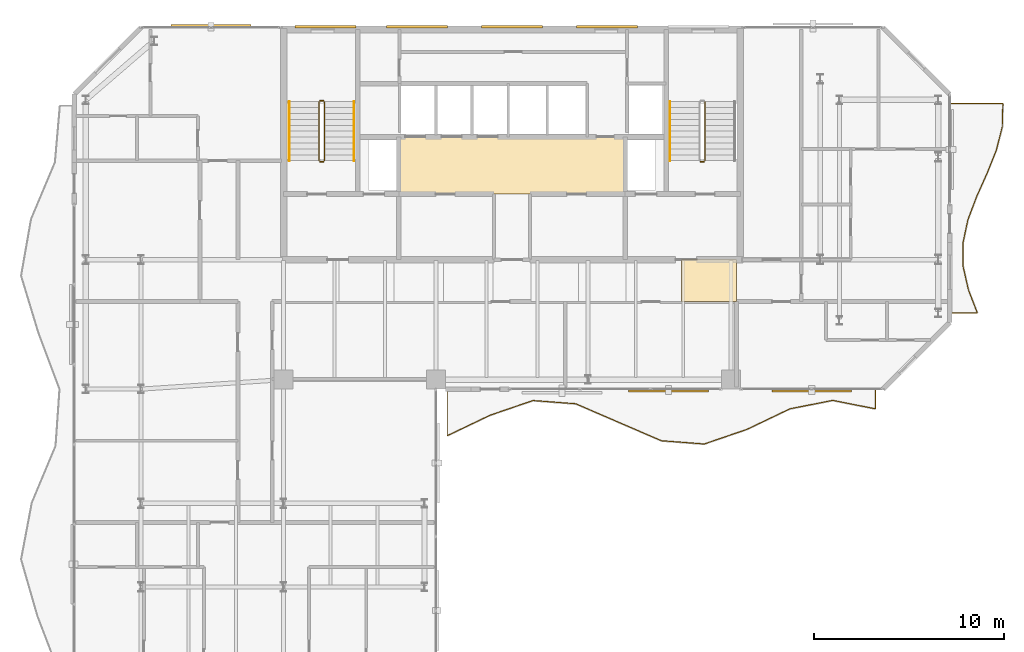
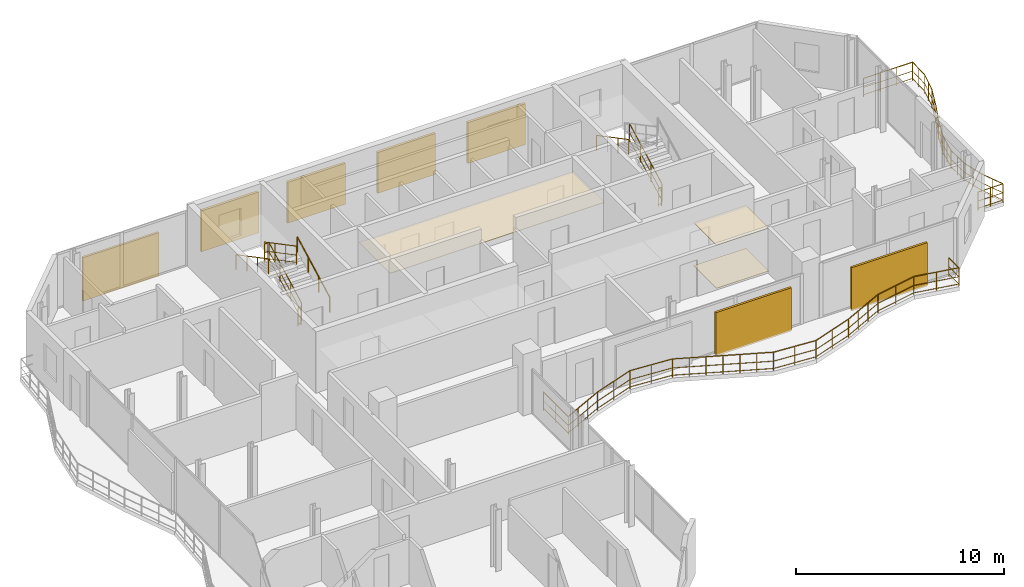
# One storey, part 22 of 23: 11 railings, 7 shading devices, 3 coverings.
"""IFC4 building model written with IfcOpenShell, lengths in metres."""

import ifcopenshell
import ifcopenshell.guid

model = None  # the IFC model being written
_history = None  # IfcOwnerHistory: only IFC2X3 demands one
_inside = {}  # id of a spatial element -> (the spatial element, [elements in it])
_under = {}  # id of a project, library or spatial element -> (it, [spatial elements below it])
_declared = {}  # id of a project -> (the project, [libraries it declares])
_typed = {}  # id of a type object -> (the type object, [elements of that type])
_made_of = {}  # id of a material, layer set ... -> (it, [elements and type objects made of it])


def new_model(schema):
    """Start an empty IFC model of exactly this schema.

    Asked for "IFC4X3", IfcOpenShell would pick the latest addendum, in which some entities
    have other attributes; the version numbers below select the first issue.
    IFC2X3 requires an IfcOwnerHistory on every rooted entity: one is made here for all.
    """
    global model, _history
    if schema == "IFC4X3":
        model = ifcopenshell.file(schema_version=(4, 3, 0, 0))
    else:
        model = ifcopenshell.file(schema=schema)
    _inside.clear()
    _under.clear()
    _declared.clear()
    _typed.clear()
    _made_of.clear()
    _history = None
    if model.schema == "IFC2X3":
        org = make("IfcOrganization", Name="unknown")
        user = make(
            "IfcPersonAndOrganization",
            ThePerson=make("IfcPerson", FamilyName="unknown"),
            TheOrganization=org,
        )
        app = make(
            "IfcApplication",
            ApplicationDeveloper=org,
            Version="unknown",
            ApplicationFullName="unknown",
            ApplicationIdentifier="unknown",
        )
        _history = make(
            "IfcOwnerHistory",
            OwningUser=user,
            OwningApplication=app,
            ChangeAction="ADDED",
            CreationDate=0,
        )
    return model


def make(cls, **values):
    """One entity of the class cls with the attributes given. An attribute that is None is left unset."""
    return model.create_entity(
        cls, **{name: value for name, value in values.items() if value is not None}
    )


def rooted(cls, **values):
    """An entity with a GlobalId (a new one), such as an element, a storey or a relation."""
    return make(cls, GlobalId=ifcopenshell.guid.new(), OwnerHistory=_history, **values)


def si_unit(unit_type, name, prefix=None):
    """IfcSIUnit, for example si_unit("LENGTHUNIT", "METRE", prefix="MILLI")."""
    return make("IfcSIUnit", UnitType=unit_type, Prefix=prefix, Name=name)


def assignment(units):
    """IfcUnitAssignment: the units of a project."""
    return None if units is None else make("IfcUnitAssignment", Units=units)


def point(xyz):
    """IfcCartesianPoint."""
    return None if xyz is None else make("IfcCartesianPoint", Coordinates=xyz)


def direction(xyz):
    """IfcDirection."""
    return None if xyz is None else make("IfcDirection", DirectionRatios=xyz)


def frame(location, z_axis=None, x_axis=None):
    """IfcAxis2Placement3D, a coordinate frame: its origin and axes. An axis left out is left unset."""
    return make(
        "IfcAxis2Placement3D",
        Location=point(location),
        Axis=direction(z_axis),
        RefDirection=direction(x_axis),
    )


def frame_2d(location, x_axis=None):
    """IfcAxis2Placement2D, a coordinate frame in the plane: its origin and x axis."""
    return make(
        "IfcAxis2Placement2D", Location=point(location), RefDirection=direction(x_axis)
    )


def origin():
    """The frame at (0, 0, 0) with its axes left unset."""
    return frame((0.0, 0.0, 0.0))


def origin_2d():
    """The frame at (0, 0) in the plane with its x axis left unset."""
    return frame_2d((0.0, 0.0))


def place(relative_to, where):
    """IfcLocalPlacement: puts the frame where relative to a parent placement (None: the world)."""
    return make(
        "IfcLocalPlacement", PlacementRelTo=relative_to, RelativePlacement=where
    )


def context(
    kind, dimensions, precision=None, world=None, true_north=None, identifier=None
):
    """IfcGeometricRepresentationContext, for example the 3D "Model" context."""
    return make(
        "IfcGeometricRepresentationContext",
        ContextIdentifier=identifier,
        ContextType=kind,
        CoordinateSpaceDimension=dimensions,
        Precision=precision,
        WorldCoordinateSystem=world,
        TrueNorth=true_north,
    )


def subcontext(parent, identifier, kind, view, scale=None):
    """IfcGeometricRepresentationSubContext, for example "Body" below "Model"."""
    return make(
        "IfcGeometricRepresentationSubContext",
        ContextIdentifier=identifier,
        ContextType=kind,
        ParentContext=parent,
        TargetScale=scale,
        TargetView=view,
    )


def project(units=None, contexts=None):
    """IfcProject with its units and contexts."""
    return rooted(
        "IfcProject",
        Name="project",
        RepresentationContexts=contexts,
        UnitsInContext=assignment(units),
    )


def spatial(cls, under=None, at=None, **own):
    """A site, building, storey or space (cls), placed at a placement, below another one or the project."""
    s = rooted(cls, ObjectPlacement=at, **own)
    if under is not None:
        _under.setdefault(under.id(), (under, []))[1].append(s)
    return s


def polyline(points):
    """IfcPolyline through the points."""
    return make("IfcPolyline", Points=[point(p) for p in points])


def profile(cls, at=None, kind="AREA", **sizes):
    """A parametric profile (cls). Its sizes go by their IFC names, for example OverallWidth=200.0."""
    return make(cls, ProfileType=kind, Position=at, **sizes)


def rectangle(**sizes):
    """IfcRectangleProfileDef."""
    return profile("IfcRectangleProfileDef", **sizes)


def circle(**sizes):
    """IfcCircleProfileDef."""
    return profile("IfcCircleProfileDef", **sizes)


def outline(outer, holes=None, kind="AREA"):
    """IfcArbitraryClosedProfileDef: a profile drawn as a closed curve; with holes, ...WithVoids."""
    if holes is None:
        return make("IfcArbitraryClosedProfileDef", ProfileType=kind, OuterCurve=outer)
    return make(
        "IfcArbitraryProfileDefWithVoids",
        ProfileType=kind,
        OuterCurve=outer,
        InnerCurves=holes,
    )


def extrude(swept, where, along, depth):
    """IfcExtrudedAreaSolid: the profile swept, set in the frame where, extruded along a direction by depth."""
    return make(
        "IfcExtrudedAreaSolid",
        SweptArea=swept,
        Position=where,
        ExtrudedDirection=direction(along),
        Depth=depth,
    )


def shape(context_of_items, identifier, shape_type, items):
    """IfcShapeRepresentation: the items that make up one representation, for example the "Body"."""
    return make(
        "IfcShapeRepresentation",
        ContextOfItems=context_of_items,
        RepresentationIdentifier=identifier,
        RepresentationType=shape_type,
        Items=items,
    )


def material(Name=None, Category=None):
    """IfcMaterial."""
    return make("IfcMaterial", Name=Name, Category=Category)


def layer(
    of_material, thickness, ventilated=None, Name=None, Category=None, Priority=None
):
    """IfcMaterialLayer: one layer of a wall or slab, of a material (None: an air gap)."""
    return make(
        "IfcMaterialLayer",
        Material=of_material,
        LayerThickness=thickness,
        IsVentilated=ventilated,
        Name=Name,
        Category=Category,
        Priority=Priority,
    )


def layer_set(layers, Name=None):
    """IfcMaterialLayerSet."""
    return make("IfcMaterialLayerSet", MaterialLayers=layers, LayerSetName=Name)


def made_of(thing, what):
    """Note that an element or type object is made of a material, layer set ...; save() writes the relation."""
    if what is not None:
        _made_of.setdefault(what.id(), (what, []))[1].append(thing)
    return thing


def type_object(cls, material=None, **own):
    """A type object (cls), such as IfcWallType, which elements share."""
    return made_of(rooted(cls, **own), material)


def element(
    cls,
    number,
    at=None,
    inside=None,
    cuts=None,
    type_object=None,
    material=None,
    context=None,
    identifier="Body",
    shape_type=None,
    held_by="IfcProductDefinitionShape",
    body=None,
    shapes=None,
    **own,
):
    """One element of the class cls, such as IfcWall. Its Tag is "e" and its number.

    at: its placement. inside: the storey or other place that contains it. cuts: it is an
    opening in that element (IfcRelVoidsElement). A single representation is given by context,
    identifier, shape_type and body (its items); several are given by shapes. held_by: the class
    of the entity that holds the representations. save() writes the other relations.
    """
    e = rooted(cls, Tag="e%d" % number, ObjectPlacement=at, **own)
    if body is not None:
        shapes = [shape(context, identifier, shape_type, body)]
    if shapes is not None:
        e.Representation = make(held_by, Representations=shapes)
    if inside is not None:
        _inside.setdefault(inside.id(), (inside, []))[1].append(e)
    if cuts is not None:
        rooted(
            "IfcRelVoidsElement", RelatingBuildingElement=cuts, RelatedOpeningElement=e
        )
    if type_object is not None:
        _typed.setdefault(type_object.id(), (type_object, []))[1].append(e)
    return made_of(e, material)


def aggregate(whole, parts):
    """IfcRelAggregates: a whole, such as a stair, and the parts it consists of."""
    return rooted("IfcRelAggregates", RelatingObject=whole, RelatedObjects=parts)


def save(model, path):
    """Write the relations noted so far, then the file.

    IfcRelAggregates (storeys below a building ...), IfcRelContainedInSpatialStructure (elements
    in a storey), IfcRelDefinesByType, IfcRelAssociatesMaterial and IfcRelDeclares: one each for
    every whole, place, type object, material and project.
    """
    for whole, parts in _under.values():
        aggregate(whole, parts)
    for where, things in _inside.values():
        rooted(
            "IfcRelContainedInSpatialStructure",
            RelatedElements=things,
            RelatingStructure=where,
        )
    for kind, things in _typed.values():
        rooted("IfcRelDefinesByType", RelatedObjects=things, RelatingType=kind)
    for what, things in _made_of.values():
        rooted("IfcRelAssociatesMaterial", RelatedObjects=things, RelatingMaterial=what)
    for by, libraries in _declared.values():
        rooted("IfcRelDeclares", RelatingContext=by, RelatedDefinitions=libraries)
    model.write(path)


model = new_model("IFC4")

# Units and contexts
model_context = context("Model", 3, precision=1e-05, world=origin(), true_north=direction((0.0, 1.0)))
body_context = subcontext(model_context, "Body", "Model", "MODEL_VIEW")
ifc_project = project(units=[si_unit("LENGTHUNIT", "METRE"), si_unit("AREAUNIT", "SQUARE_METRE"), si_unit("VOLUMEUNIT", "CUBIC_METRE"), si_unit("PLANEANGLEUNIT", "RADIAN"), si_unit("MASSUNIT", "GRAM", prefix="KILO")], contexts=[model_context])

# Site, building, storey
site_placement = place(None, origin())
site = spatial("IfcSite", under=ifc_project, at=site_placement, CompositionType="ELEMENT")
building_placement = place(site_placement, origin())
building = spatial("IfcBuilding", under=site, at=building_placement, Name="Catumbela Crestline Tower", CompositionType="ELEMENT")
storey_placement = place(building_placement, frame((0.0, 0.0, 204.6)))
storey = spatial("IfcBuildingStorey", under=building, at=storey_placement, Name="L53", CompositionType="ELEMENT", Elevation=204.6)

# Coverings
ifc_material_1 = material(Name="Mineral-fibre acoustic ceiling")
ifc_layer_1 = layer(ifc_material_1, 0.03, Name="Mineral-fibre acoustic ceiling")
ifc_layer_set_1 = layer_set([ifc_layer_1], Name="Mineral-fibre acoustic ceiling")
covering_type_1 = type_object("IfcCoveringType", Name="CC-AC", PredefinedType="CEILING", material=ifc_layer_set_1)
covering_1_placement = place(storey_placement, frame((0.0, 0.0, 2.65)))
element("IfcCovering", 1, at=covering_1_placement, inside=storey, type_object=covering_type_1, Name="L53 Lift Lobby Acoustic Ceiling", PredefinedType="CEILING", context=body_context, shape_type="SweptSolid", body=[
    extrude(outline(polyline([(22.05, 34.25), (33.95, 34.25), (33.95, 37.25), (22.05, 37.25), (22.05, 34.25)])), origin(), (0.0, 0.0, 1.0), 0.03),
])
covering_2_placement = place(storey_placement, frame((0.0, 0.0, 2.52)))
element("IfcCovering", 2, at=covering_2_placement, inside=storey, type_object=covering_type_1, Name="L53 Corridor Acoustic Ceiling Bay 8", PredefinedType="CEILING", context=body_context, shape_type="SweptSolid", body=[
    extrude(outline(polyline([(36.9, 28.6), (39.8, 28.6), (39.8, 30.8), (36.9, 30.8), (36.9, 28.6)])), origin(), (0.0, 0.0, 1.0), 0.03),
])
ifc_material_2 = material(Name="Angolan grey-ochre granite", Category="masonry")
ifc_layer_2 = layer(ifc_material_2, 0.025, Name="Angolan grey-ochre granite")
ifc_layer_set_2 = layer_set([ifc_layer_2], Name="Angolan grey-ochre granite")
covering_type_2 = type_object("IfcCoveringType", Name="CF-GR", PredefinedType="FLOORING", material=ifc_layer_set_2)
covering_3_placement = place(storey_placement, origin())
element("IfcCovering", 3, at=covering_3_placement, inside=storey, type_object=covering_type_2, Name="L53 Corridor Granite Flooring Bay 8", PredefinedType="FLOORING", context=body_context, shape_type="SweptSolid", body=[
    extrude(outline(polyline([(36.9, 28.6), (39.8, 28.6), (39.8, 30.8), (36.9, 30.8), (36.9, 28.6)])), origin(), (0.0, 0.0, 1.0), 0.025),
])

# Railings
ifc_material_3 = material(Name="Stainless steel EN 1.4401", Category="steel")
railing_type_1 = type_object("IfcRailingType", Name="RB-1100", PredefinedType="BALUSTRADE", material=ifc_material_3)
railing_1_placement = place(storey_placement, frame((24.6, 23.94, 0.0)))
element("IfcRailing", 4, at=railing_1_placement, inside=storey, type_object=railing_type_1, Name="L53 Private Wave Balcony Balustrade 1", PredefinedType="BALUSTRADE", context=body_context, shape_type="SweptSolid", body=[
    extrude(circle(Radius=0.024, at=origin_2d()), frame((0.0, 0.0, 1.076), z_axis=(0.0, -1.0, 0.0), x_axis=(1.0, 0.0, 0.0)), (0.0, 0.0, 1.0), 2.3853),
    extrude(circle(Radius=0.0156, at=origin_2d()), frame((0.0, 0.0, 0.55), z_axis=(0.0, -1.0, 0.0), x_axis=(1.0, 0.0, 0.0)), (0.0, 0.0, 1.0), 2.3853),
    extrude(circle(Radius=0.0156, at=origin_2d()), frame((0.0, 0.0, 0.12), z_axis=(0.0, -1.0, 0.0), x_axis=(1.0, 0.0, 0.0)), (0.0, 0.0, 1.0), 2.3853),
    extrude(circle(Radius=0.024, at=origin_2d()), frame((0.0, -2.3853, 1.076), z_axis=(0.902132186045, 0.431459753513, 0.0), x_axis=(-0.431459753513, 0.902132186045, 0.0)), (0.0, 0.0, 1.0), 2.4941),
    extrude(circle(Radius=0.0156, at=origin_2d()), frame((0.0, -2.3853, 0.55), z_axis=(0.902132186045, 0.431459753513, 0.0), x_axis=(-0.431459753513, 0.902132186045, 0.0)), (0.0, 0.0, 1.0), 2.4941),
    extrude(circle(Radius=0.0156, at=origin_2d()), frame((0.0, -2.3853, 0.12), z_axis=(0.902132186045, 0.431459753513, 0.0), x_axis=(-0.431459753513, 0.902132186045, 0.0)), (0.0, 0.0, 1.0), 2.4941),
    extrude(circle(Radius=0.024, at=origin_2d()), frame((2.25, -1.3092, 1.076), z_axis=(0.946065665735, 0.323974931311, 0.0), x_axis=(-0.323974931311, 0.946065665735, 0.0)), (0.0, 0.0, 1.0), 2.3783),
    extrude(circle(Radius=0.0156, at=origin_2d()), frame((2.25, -1.3092, 0.55), z_axis=(0.946065665735, 0.323974931311, 0.0), x_axis=(-0.323974931311, 0.946065665735, 0.0)), (0.0, 0.0, 1.0), 2.3783),
    extrude(circle(Radius=0.0156, at=origin_2d()), frame((2.25, -1.3092, 0.12), z_axis=(0.946065665735, 0.323974931311, 0.0), x_axis=(-0.323974931311, 0.946065665735, 0.0)), (0.0, 0.0, 1.0), 2.3783),
    extrude(circle(Radius=0.024, at=origin_2d()), frame((4.5, -0.5387, 1.076), z_axis=(0.997141170455, -0.075561142028, 0.0), x_axis=(0.075561142028, 0.997141170455, 0.0)), (0.0, 0.0, 1.0), 2.2565),
    extrude(circle(Radius=0.0156, at=origin_2d()), frame((4.5, -0.5387, 0.55), z_axis=(0.997141170455, -0.075561142028, 0.0), x_axis=(0.075561142028, 0.997141170455, 0.0)), (0.0, 0.0, 1.0), 2.2565),
    extrude(circle(Radius=0.0156, at=origin_2d()), frame((4.5, -0.5387, 0.12), z_axis=(0.997141170455, -0.075561142028, 0.0), x_axis=(0.075561142028, 0.997141170455, 0.0)), (0.0, 0.0, 1.0), 2.2565),
    extrude(circle(Radius=0.024, at=origin_2d()), frame((6.75, -0.7092, 1.076), z_axis=(0.918179780553, -0.396163969316, 0.0), x_axis=(0.396163969316, 0.918179780553, 0.0)), (0.0, 0.0, 1.0), 2.4505),
    extrude(circle(Radius=0.0156, at=origin_2d()), frame((6.75, -0.7092, 0.55), z_axis=(0.918179780553, -0.396163969316, 0.0), x_axis=(0.396163969316, 0.918179780553, 0.0)), (0.0, 0.0, 1.0), 2.4505),
    extrude(circle(Radius=0.0156, at=origin_2d()), frame((6.75, -0.7092, 0.12), z_axis=(0.918179780553, -0.396163969316, 0.0), x_axis=(0.396163969316, 0.918179780553, 0.0)), (0.0, 0.0, 1.0), 2.4505),
    extrude(circle(Radius=0.024, at=origin_2d()), frame((9.0, -1.68, 1.076), z_axis=(0.918179780553, -0.396163969316, 0.0), x_axis=(0.396163969316, 0.918179780553, 0.0)), (0.0, 0.0, 1.0), 2.4505),
    extrude(circle(Radius=0.0156, at=origin_2d()), frame((9.0, -1.68, 0.55), z_axis=(0.918179780553, -0.396163969316, 0.0), x_axis=(0.396163969316, 0.918179780553, 0.0)), (0.0, 0.0, 1.0), 2.4505),
    extrude(circle(Radius=0.0156, at=origin_2d()), frame((9.0, -1.68, 0.12), z_axis=(0.918179780553, -0.396163969316, 0.0), x_axis=(0.396163969316, 0.918179780553, 0.0)), (0.0, 0.0, 1.0), 2.4505),
    extrude(circle(Radius=0.024, at=origin_2d()), frame((11.25, -2.6508, 1.076), z_axis=(0.997141170455, -0.075561142028, 0.0), x_axis=(0.075561142028, 0.997141170455, 0.0)), (0.0, 0.0, 1.0), 2.2565),
    extrude(circle(Radius=0.0156, at=origin_2d()), frame((11.25, -2.6508, 0.55), z_axis=(0.997141170455, -0.075561142028, 0.0), x_axis=(0.075561142028, 0.997141170455, 0.0)), (0.0, 0.0, 1.0), 2.2565),
    extrude(circle(Radius=0.0156, at=origin_2d()), frame((11.25, -2.6508, 0.12), z_axis=(0.997141170455, -0.075561142028, 0.0), x_axis=(0.075561142028, 0.997141170455, 0.0)), (0.0, 0.0, 1.0), 2.2565),
    extrude(circle(Radius=0.024, at=origin_2d()), frame((13.5, -2.8213, 1.076), z_axis=(0.946065665735, 0.323974931311, 0.0), x_axis=(-0.323974931311, 0.946065665735, 0.0)), (0.0, 0.0, 1.0), 2.3783),
    extrude(circle(Radius=0.0156, at=origin_2d()), frame((13.5, -2.8213, 0.55), z_axis=(0.946065665735, 0.323974931311, 0.0), x_axis=(-0.323974931311, 0.946065665735, 0.0)), (0.0, 0.0, 1.0), 2.3783),
    extrude(circle(Radius=0.0156, at=origin_2d()), frame((13.5, -2.8213, 0.12), z_axis=(0.946065665735, 0.323974931311, 0.0), x_axis=(-0.323974931311, 0.946065665735, 0.0)), (0.0, 0.0, 1.0), 2.3783),
    extrude(circle(Radius=0.024, at=origin_2d()), frame((15.75, -2.0508, 1.076), z_axis=(0.902132186045, 0.431459753513, 0.0), x_axis=(-0.431459753513, 0.902132186045, 0.0)), (0.0, 0.0, 1.0), 2.4941),
    extrude(circle(Radius=0.0156, at=origin_2d()), frame((15.75, -2.0508, 0.55), z_axis=(0.902132186045, 0.431459753513, 0.0), x_axis=(-0.431459753513, 0.902132186045, 0.0)), (0.0, 0.0, 1.0), 2.4941),
    extrude(circle(Radius=0.0156, at=origin_2d()), frame((15.75, -2.0508, 0.12), z_axis=(0.902132186045, 0.431459753513, 0.0), x_axis=(-0.431459753513, 0.902132186045, 0.0)), (0.0, 0.0, 1.0), 2.4941),
    extrude(circle(Radius=0.024, at=origin_2d()), frame((18.0, -0.9747, 1.076), z_axis=(0.981022553047, 0.193893657484, 0.0), x_axis=(-0.193893657484, 0.981022553047, 0.0)), (0.0, 0.0, 1.0), 2.2935),
    extrude(circle(Radius=0.0156, at=origin_2d()), frame((18.0, -0.9747, 0.55), z_axis=(0.981022553047, 0.193893657484, 0.0), x_axis=(-0.193893657484, 0.981022553047, 0.0)), (0.0, 0.0, 1.0), 2.2935),
    extrude(circle(Radius=0.0156, at=origin_2d()), frame((18.0, -0.9747, 0.12), z_axis=(0.981022553047, 0.193893657484, 0.0), x_axis=(-0.193893657484, 0.981022553047, 0.0)), (0.0, 0.0, 1.0), 2.2935),
    extrude(circle(Radius=0.024, at=origin_2d()), frame((20.25, -0.53, 1.076), z_axis=(0.981022553047, -0.193893657484, 0.0), x_axis=(0.193893657484, 0.981022553047, 0.0)), (0.0, 0.0, 1.0), 2.2935),
    extrude(circle(Radius=0.0156, at=origin_2d()), frame((20.25, -0.53, 0.55), z_axis=(0.981022553047, -0.193893657484, 0.0), x_axis=(0.193893657484, 0.981022553047, 0.0)), (0.0, 0.0, 1.0), 2.2935),
    extrude(circle(Radius=0.0156, at=origin_2d()), frame((20.25, -0.53, 0.12), z_axis=(0.981022553047, -0.193893657484, 0.0), x_axis=(0.193893657484, 0.981022553047, 0.0)), (0.0, 0.0, 1.0), 2.2935),
    extrude(circle(Radius=0.024, at=origin_2d()), frame((22.5, -0.9747, 1.076), z_axis=(0.0, 1.0, 0.0), x_axis=(-1.0, 0.0, 0.0)), (0.0, 0.0, 1.0), 0.9747),
    extrude(circle(Radius=0.0156, at=origin_2d()), frame((22.5, -0.9747, 0.55), z_axis=(0.0, 1.0, 0.0), x_axis=(-1.0, 0.0, 0.0)), (0.0, 0.0, 1.0), 0.9747),
    extrude(circle(Radius=0.0156, at=origin_2d()), frame((22.5, -0.9747, 0.12), z_axis=(0.0, 1.0, 0.0), x_axis=(-1.0, 0.0, 0.0)), (0.0, 0.0, 1.0), 0.9747),
    extrude(circle(Radius=0.021, at=origin_2d()), origin(), (0.0, 0.0, 1.0), 1.052),
    extrude(circle(Radius=0.021, at=origin_2d()), frame((0.0, -1.1927, 0.0)), (0.0, 0.0, 1.0), 1.052),
    extrude(circle(Radius=0.021, at=origin_2d()), frame((0.0, -2.3853, 0.0)), (0.0, 0.0, 1.0), 1.052),
    extrude(circle(Radius=0.021, at=origin_2d()), frame((0.75, -2.0266, 0.0)), (0.0, 0.0, 1.0), 1.052),
    extrude(circle(Radius=0.021, at=origin_2d()), frame((1.5, -1.6679, 0.0)), (0.0, 0.0, 1.0), 1.052),
    extrude(circle(Radius=0.021, at=origin_2d()), frame((2.25, -1.3092, 0.0)), (0.0, 0.0, 1.0), 1.052),
    extrude(circle(Radius=0.021, at=origin_2d()), frame((3.375, -0.924, 0.0)), (0.0, 0.0, 1.0), 1.052),
    extrude(circle(Radius=0.021, at=origin_2d()), frame((4.5, -0.5387, 0.0)), (0.0, 0.0, 1.0), 1.052),
    extrude(circle(Radius=0.021, at=origin_2d()), frame((5.625, -0.624, 0.0)), (0.0, 0.0, 1.0), 1.052),
    extrude(circle(Radius=0.021, at=origin_2d()), frame((6.75, -0.7092, 0.0)), (0.0, 0.0, 1.0), 1.052),
    extrude(circle(Radius=0.021, at=origin_2d()), frame((7.5, -1.0328, 0.0)), (0.0, 0.0, 1.0), 1.052),
    extrude(circle(Radius=0.021, at=origin_2d()), frame((8.25, -1.3564, 0.0)), (0.0, 0.0, 1.0), 1.052),
    extrude(circle(Radius=0.021, at=origin_2d()), frame((9.0, -1.68, 0.0)), (0.0, 0.0, 1.0), 1.052),
    extrude(circle(Radius=0.021, at=origin_2d()), frame((9.75, -2.0036, 0.0)), (0.0, 0.0, 1.0), 1.052),
    extrude(circle(Radius=0.021, at=origin_2d()), frame((10.5, -2.3272, 0.0)), (0.0, 0.0, 1.0), 1.052),
    extrude(circle(Radius=0.021, at=origin_2d()), frame((11.25, -2.6508, 0.0)), (0.0, 0.0, 1.0), 1.052),
    extrude(circle(Radius=0.021, at=origin_2d()), frame((12.375, -2.7361, 0.0)), (0.0, 0.0, 1.0), 1.052),
    extrude(circle(Radius=0.021, at=origin_2d()), frame((13.5, -2.8213, 0.0)), (0.0, 0.0, 1.0), 1.052),
    extrude(circle(Radius=0.021, at=origin_2d()), frame((14.625, -2.4361, 0.0)), (0.0, 0.0, 1.0), 1.052),
    extrude(circle(Radius=0.021, at=origin_2d()), frame((15.75, -2.0508, 0.0)), (0.0, 0.0, 1.0), 1.052),
    extrude(circle(Radius=0.021, at=origin_2d()), frame((16.5, -1.6921, 0.0)), (0.0, 0.0, 1.0), 1.052),
    extrude(circle(Radius=0.021, at=origin_2d()), frame((17.25, -1.3334, 0.0)), (0.0, 0.0, 1.0), 1.052),
    extrude(circle(Radius=0.021, at=origin_2d()), frame((18.0, -0.9747, 0.0)), (0.0, 0.0, 1.0), 1.052),
    extrude(circle(Radius=0.021, at=origin_2d()), frame((19.125, -0.7524, 0.0)), (0.0, 0.0, 1.0), 1.052),
    extrude(circle(Radius=0.021, at=origin_2d()), frame((20.25, -0.53, 0.0)), (0.0, 0.0, 1.0), 1.052),
    extrude(circle(Radius=0.021, at=origin_2d()), frame((21.375, -0.7524, 0.0)), (0.0, 0.0, 1.0), 1.052),
    extrude(circle(Radius=0.021, at=origin_2d()), frame((22.5, -0.9747, 0.0)), (0.0, 0.0, 1.0), 1.052),
    extrude(circle(Radius=0.021, at=origin_2d()), frame((22.5, 0.0, 0.0)), (0.0, 0.0, 1.0), 1.052),
])
railing_2_placement = place(storey_placement, frame((51.06, 28.0, 0.0)))
element("IfcRailing", 5, at=railing_2_placement, inside=storey, type_object=railing_type_1, Name="L53 Private Wave Balcony Balustrade 2", PredefinedType="BALUSTRADE", context=body_context, shape_type="SweptSolid", body=[
    extrude(circle(Radius=0.024, at=origin_2d()), frame((0.0, 0.0, 1.076), z_axis=(1.0, 0.0, 0.0), x_axis=(0.0, 1.0, 0.0)), (0.0, 0.0, 1.0), 1.3902),
    extrude(circle(Radius=0.0156, at=origin_2d()), frame((0.0, 0.0, 0.55), z_axis=(1.0, 0.0, 0.0), x_axis=(0.0, 1.0, 0.0)), (0.0, 0.0, 1.0), 1.3902),
    extrude(circle(Radius=0.0156, at=origin_2d()), frame((0.0, 0.0, 0.12), z_axis=(1.0, 0.0, 0.0), x_axis=(0.0, 1.0, 0.0)), (0.0, 0.0, 1.0), 1.3902),
    extrude(circle(Radius=0.024, at=origin_2d()), frame((1.3902, 0.0, 1.076), z_axis=(-0.360589425238, 0.932724646617, 0.0), x_axis=(-0.932724646617, -0.360589425238, 0.0)), (0.0, 0.0, 1.0), 1.3104),
    extrude(circle(Radius=0.0156, at=origin_2d()), frame((1.3902, 0.0, 0.55), z_axis=(-0.360589425238, 0.932724646617, 0.0), x_axis=(-0.932724646617, -0.360589425238, 0.0)), (0.0, 0.0, 1.0), 1.3104),
    extrude(circle(Radius=0.0156, at=origin_2d()), frame((1.3902, 0.0, 0.12), z_axis=(-0.360589425238, 0.932724646617, 0.0), x_axis=(-0.932724646617, -0.360589425238, 0.0)), (0.0, 0.0, 1.0), 1.3104),
    extrude(circle(Radius=0.024, at=origin_2d()), frame((0.9177, 1.2222, 1.076), z_axis=(-0.221110639071, 0.975248729961, 0.0), x_axis=(-0.975248729961, -0.221110639071, 0.0)), (0.0, 0.0, 1.0), 1.2532),
    extrude(circle(Radius=0.0156, at=origin_2d()), frame((0.9177, 1.2222, 0.55), z_axis=(-0.221110639071, 0.975248729961, 0.0), x_axis=(-0.975248729961, -0.221110639071, 0.0)), (0.0, 0.0, 1.0), 1.2532),
    extrude(circle(Radius=0.0156, at=origin_2d()), frame((0.9177, 1.2222, 0.12), z_axis=(-0.221110639071, 0.975248729961, 0.0), x_axis=(-0.975248729961, -0.221110639071, 0.0)), (0.0, 0.0, 1.0), 1.2532),
    extrude(circle(Radius=0.024, at=origin_2d()), frame((0.6406, 2.4444, 1.076), z_axis=(-0.008590045489, 0.999963104879, 0.0), x_axis=(-0.999963104879, -0.008590045489, 0.0)), (0.0, 0.0, 1.0), 1.2223),
    extrude(circle(Radius=0.0156, at=origin_2d()), frame((0.6406, 2.4444, 0.55), z_axis=(-0.008590045489, 0.999963104879, 0.0), x_axis=(-0.999963104879, -0.008590045489, 0.0)), (0.0, 0.0, 1.0), 1.2223),
    extrude(circle(Radius=0.0156, at=origin_2d()), frame((0.6406, 2.4444, 0.12), z_axis=(-0.008590045489, 0.999963104879, 0.0), x_axis=(-0.999963104879, -0.008590045489, 0.0)), (0.0, 0.0, 1.0), 1.2223),
    extrude(circle(Radius=0.024, at=origin_2d()), frame((0.6301, 3.6667, 1.076), z_axis=(0.207079409578, 0.978324137558, 0.0), x_axis=(-0.978324137558, 0.207079409578, 0.0)), (0.0, 0.0, 1.0), 1.2493),
    extrude(circle(Radius=0.0156, at=origin_2d()), frame((0.6301, 3.6667, 0.55), z_axis=(0.207079409578, 0.978324137558, 0.0), x_axis=(-0.978324137558, 0.207079409578, 0.0)), (0.0, 0.0, 1.0), 1.2493),
    extrude(circle(Radius=0.0156, at=origin_2d()), frame((0.6301, 3.6667, 0.12), z_axis=(0.207079409578, 0.978324137558, 0.0), x_axis=(-0.978324137558, 0.207079409578, 0.0)), (0.0, 0.0, 1.0), 1.2493),
    extrude(circle(Radius=0.024, at=origin_2d()), frame((0.8888, 4.8889, 1.076), z_axis=(0.353320187864, 0.935502455821, 0.0), x_axis=(-0.935502455821, 0.353320187864, 0.0)), (0.0, 0.0, 1.0), 1.3065),
    extrude(circle(Radius=0.0156, at=origin_2d()), frame((0.8888, 4.8889, 0.55), z_axis=(0.353320187864, 0.935502455821, 0.0), x_axis=(-0.935502455821, 0.353320187864, 0.0)), (0.0, 0.0, 1.0), 1.3065),
    extrude(circle(Radius=0.0156, at=origin_2d()), frame((0.8888, 4.8889, 0.12), z_axis=(0.353320187864, 0.935502455821, 0.0), x_axis=(-0.935502455821, 0.353320187864, 0.0)), (0.0, 0.0, 1.0), 1.3065),
    extrude(circle(Radius=0.024, at=origin_2d()), frame((1.3504, 6.1111, 1.076), z_axis=(0.407946686681, 0.913005750708, 0.0), x_axis=(-0.913005750708, 0.407946686681, 0.0)), (0.0, 0.0, 1.0), 1.3387),
    extrude(circle(Radius=0.0156, at=origin_2d()), frame((1.3504, 6.1111, 0.55), z_axis=(0.407946686681, 0.913005750708, 0.0), x_axis=(-0.913005750708, 0.407946686681, 0.0)), (0.0, 0.0, 1.0), 1.3387),
    extrude(circle(Radius=0.0156, at=origin_2d()), frame((1.3504, 6.1111, 0.12), z_axis=(0.407946686681, 0.913005750708, 0.0), x_axis=(-0.913005750708, 0.407946686681, 0.0)), (0.0, 0.0, 1.0), 1.3387),
    extrude(circle(Radius=0.024, at=origin_2d()), frame((1.8965, 7.3333, 1.076), z_axis=(0.372490025176, 0.928036196031, 0.0), x_axis=(-0.928036196031, 0.372490025176, 0.0)), (0.0, 0.0, 1.0), 1.3171),
    extrude(circle(Radius=0.0156, at=origin_2d()), frame((1.8965, 7.3333, 0.55), z_axis=(0.372490025176, 0.928036196031, 0.0), x_axis=(-0.928036196031, 0.372490025176, 0.0)), (0.0, 0.0, 1.0), 1.3171),
    extrude(circle(Radius=0.0156, at=origin_2d()), frame((1.8965, 7.3333, 0.12), z_axis=(0.372490025176, 0.928036196031, 0.0), x_axis=(-0.928036196031, 0.372490025176, 0.0)), (0.0, 0.0, 1.0), 1.3171),
    extrude(circle(Radius=0.024, at=origin_2d()), frame((2.3871, 8.5556, 1.076), z_axis=(0.245334114458, 0.969438586133, 0.0), x_axis=(-0.969438586133, 0.245334114458, 0.0)), (0.0, 0.0, 1.0), 1.2607),
    extrude(circle(Radius=0.0156, at=origin_2d()), frame((2.3871, 8.5556, 0.55), z_axis=(0.245334114458, 0.969438586133, 0.0), x_axis=(-0.969438586133, 0.245334114458, 0.0)), (0.0, 0.0, 1.0), 1.2607),
    extrude(circle(Radius=0.0156, at=origin_2d()), frame((2.3871, 8.5556, 0.12), z_axis=(0.245334114458, 0.969438586133, 0.0), x_axis=(-0.969438586133, 0.245334114458, 0.0)), (0.0, 0.0, 1.0), 1.2607),
    extrude(circle(Radius=0.024, at=origin_2d()), frame((2.6964, 9.7778, 1.076), z_axis=(0.027481026125, 0.999622325282, 0.0), x_axis=(-0.999622325282, 0.027481026125, 0.0)), (0.0, 0.0, 1.0), 1.2227),
    extrude(circle(Radius=0.0156, at=origin_2d()), frame((2.6964, 9.7778, 0.55), z_axis=(0.027481026125, 0.999622325282, 0.0), x_axis=(-0.999622325282, 0.027481026125, 0.0)), (0.0, 0.0, 1.0), 1.2227),
    extrude(circle(Radius=0.0156, at=origin_2d()), frame((2.6964, 9.7778, 0.12), z_axis=(0.027481026125, 0.999622325282, 0.0), x_axis=(-0.999622325282, 0.027481026125, 0.0)), (0.0, 0.0, 1.0), 1.2227),
    extrude(circle(Radius=0.024, at=origin_2d()), frame((2.73, 11.0, 1.076), z_axis=(-1.0, 0.0, 0.0), x_axis=(0.0, -1.0, 0.0)), (0.0, 0.0, 1.0), 2.73),
    extrude(circle(Radius=0.0156, at=origin_2d()), frame((2.73, 11.0, 0.55), z_axis=(-1.0, 0.0, 0.0), x_axis=(0.0, -1.0, 0.0)), (0.0, 0.0, 1.0), 2.73),
    extrude(circle(Radius=0.0156, at=origin_2d()), frame((2.73, 11.0, 0.12), z_axis=(-1.0, 0.0, 0.0), x_axis=(0.0, -1.0, 0.0)), (0.0, 0.0, 1.0), 2.73),
    extrude(circle(Radius=0.021, at=origin_2d()), origin(), (0.0, 0.0, 1.0), 1.052),
    extrude(circle(Radius=0.021, at=origin_2d()), frame((0.6951, 0.0, 0.0)), (0.0, 0.0, 1.0), 1.052),
    extrude(circle(Radius=0.021, at=origin_2d()), frame((1.3902, 0.0, 0.0)), (0.0, 0.0, 1.0), 1.052),
    extrude(circle(Radius=0.021, at=origin_2d()), frame((1.1539, 0.6111, 0.0)), (0.0, 0.0, 1.0), 1.052),
    extrude(circle(Radius=0.021, at=origin_2d()), frame((0.9177, 1.2222, 0.0)), (0.0, 0.0, 1.0), 1.052),
    extrude(circle(Radius=0.021, at=origin_2d()), frame((0.7791, 1.8333, 0.0)), (0.0, 0.0, 1.0), 1.052),
    extrude(circle(Radius=0.021, at=origin_2d()), frame((0.6406, 2.4444, 0.0)), (0.0, 0.0, 1.0), 1.052),
    extrude(circle(Radius=0.021, at=origin_2d()), frame((0.6353, 3.0556, 0.0)), (0.0, 0.0, 1.0), 1.052),
    extrude(circle(Radius=0.021, at=origin_2d()), frame((0.6301, 3.6667, 0.0)), (0.0, 0.0, 1.0), 1.052),
    extrude(circle(Radius=0.021, at=origin_2d()), frame((0.7594, 4.2778, 0.0)), (0.0, 0.0, 1.0), 1.052),
    extrude(circle(Radius=0.021, at=origin_2d()), frame((0.8888, 4.8889, 0.0)), (0.0, 0.0, 1.0), 1.052),
    extrude(circle(Radius=0.021, at=origin_2d()), frame((1.1196, 5.5, 0.0)), (0.0, 0.0, 1.0), 1.052),
    extrude(circle(Radius=0.021, at=origin_2d()), frame((1.3504, 6.1111, 0.0)), (0.0, 0.0, 1.0), 1.052),
    extrude(circle(Radius=0.021, at=origin_2d()), frame((1.6234, 6.7222, 0.0)), (0.0, 0.0, 1.0), 1.052),
    extrude(circle(Radius=0.021, at=origin_2d()), frame((1.8965, 7.3333, 0.0)), (0.0, 0.0, 1.0), 1.052),
    extrude(circle(Radius=0.021, at=origin_2d()), frame((2.1418, 7.9444, 0.0)), (0.0, 0.0, 1.0), 1.052),
    extrude(circle(Radius=0.021, at=origin_2d()), frame((2.3871, 8.5556, 0.0)), (0.0, 0.0, 1.0), 1.052),
    extrude(circle(Radius=0.021, at=origin_2d()), frame((2.5417, 9.1667, 0.0)), (0.0, 0.0, 1.0), 1.052),
    extrude(circle(Radius=0.021, at=origin_2d()), frame((2.6964, 9.7778, 0.0)), (0.0, 0.0, 1.0), 1.052),
    extrude(circle(Radius=0.021, at=origin_2d()), frame((2.7132, 10.3889, 0.0)), (0.0, 0.0, 1.0), 1.052),
    extrude(circle(Radius=0.021, at=origin_2d()), frame((2.73, 11.0, 0.0)), (0.0, 0.0, 1.0), 1.052),
    extrude(circle(Radius=0.021, at=origin_2d()), frame((1.82, 11.0, 0.0)), (0.0, 0.0, 1.0), 1.052),
    extrude(circle(Radius=0.021, at=origin_2d()), frame((0.91, 11.0, 0.0)), (0.0, 0.0, 1.0), 1.052),
    extrude(circle(Radius=0.021, at=origin_2d()), frame((0.0, 11.0, 0.0)), (0.0, 0.0, 1.0), 1.052),
])
railing_type_2 = type_object("IfcRailingType", Name="RG-1100", PredefinedType="GUARDRAIL", material=ifc_material_3)
railing_3_placement = place(storey_placement, frame((18.14, 36.0, 0.1636)))
element("IfcRailing", 6, at=railing_3_placement, inside=storey, type_object=railing_type_2, Name="L53 ST-01 stair guard 1", PredefinedType="GUARDRAIL", context=body_context, shape_type="SweptSolid", body=[
    extrude(circle(Radius=0.024, at=origin_2d()), frame((0.0, 0.0, 1.076), z_axis=(0.0, 0.884350731049, 0.466823076222), x_axis=(-1.0, 0.0, 0.0)), (0.0, 0.0, 1.0), 3.5054),
    extrude(circle(Radius=0.0156, at=origin_2d()), frame((0.0, 0.0, 0.55), z_axis=(0.0, 0.884350731049, 0.466823076222), x_axis=(-1.0, 0.0, 0.0)), (0.0, 0.0, 1.0), 3.5054),
    extrude(circle(Radius=0.0156, at=origin_2d()), frame((0.0, 0.0, 0.12), z_axis=(0.0, 0.884350731049, 0.466823076222), x_axis=(-1.0, 0.0, 0.0)), (0.0, 0.0, 1.0), 3.5054),
    extrude(circle(Radius=0.021, at=origin_2d()), origin(), (0.0, 0.0, 1.0), 1.052),
    extrude(circle(Radius=0.021, at=origin_2d()), frame((0.0, 1.0333, 0.5455)), (0.0, 0.0, 1.0), 1.052),
    extrude(circle(Radius=0.021, at=origin_2d()), frame((0.0, 2.0667, 1.0909)), (0.0, 0.0, 1.0), 1.052),
    extrude(circle(Radius=0.021, at=origin_2d()), frame((0.0, 3.1, 1.6364)), (0.0, 0.0, 1.0), 1.052),
])
railing_4_placement = place(storey_placement, frame((18.09, 39.15, 1.8)))
element("IfcRailing", 7, at=railing_4_placement, inside=storey, type_object=railing_type_2, Name="L53 ST-01 stair guard 2", PredefinedType="GUARDRAIL", context=body_context, shape_type="SweptSolid", body=[
    extrude(circle(Radius=0.024, at=origin_2d()), frame((0.0, 0.0, 1.076), z_axis=(-1.0, 0.0, 0.0), x_axis=(0.0, -1.0, 0.0)), (0.0, 0.0, 1.0), 0.18),
    extrude(circle(Radius=0.0156, at=origin_2d()), frame((0.0, 0.0, 0.55), z_axis=(-1.0, 0.0, 0.0), x_axis=(0.0, -1.0, 0.0)), (0.0, 0.0, 1.0), 0.18),
    extrude(circle(Radius=0.0156, at=origin_2d()), frame((0.0, 0.0, 0.12), z_axis=(-1.0, 0.0, 0.0), x_axis=(0.0, -1.0, 0.0)), (0.0, 0.0, 1.0), 0.18),
    extrude(circle(Radius=0.021, at=origin_2d()), origin(), (0.0, 0.0, 1.0), 1.052),
    extrude(circle(Radius=0.021, at=origin_2d()), frame((-0.18, 0.0, 0.0)), (0.0, 0.0, 1.0), 1.052),
])
railing_5_placement = place(storey_placement, frame((17.86, 39.1, 1.9636)))
element("IfcRailing", 8, at=railing_5_placement, inside=storey, type_object=railing_type_2, Name="L53 ST-01 stair guard 3", PredefinedType="GUARDRAIL", context=body_context, shape_type="SweptSolid", body=[
    extrude(circle(Radius=0.024, at=origin_2d()), frame((0.0, 0.0, 1.076), z_axis=(0.0, -0.884350731049, 0.466823076222), x_axis=(1.0, 0.0, 0.0)), (0.0, 0.0, 1.0), 3.5054),
    extrude(circle(Radius=0.0156, at=origin_2d()), frame((0.0, 0.0, 0.55), z_axis=(0.0, -0.884350731049, 0.466823076222), x_axis=(1.0, 0.0, 0.0)), (0.0, 0.0, 1.0), 3.5054),
    extrude(circle(Radius=0.0156, at=origin_2d()), frame((0.0, 0.0, 0.12), z_axis=(0.0, -0.884350731049, 0.466823076222), x_axis=(1.0, 0.0, 0.0)), (0.0, 0.0, 1.0), 3.5054),
    extrude(circle(Radius=0.021, at=origin_2d()), origin(), (0.0, 0.0, 1.0), 1.052),
    extrude(circle(Radius=0.021, at=origin_2d()), frame((0.0, -1.0333, 0.5455)), (0.0, 0.0, 1.0), 1.052),
    extrude(circle(Radius=0.021, at=origin_2d()), frame((0.0, -2.0667, 1.0909)), (0.0, 0.0, 1.0), 1.052),
    extrude(circle(Radius=0.021, at=origin_2d()), frame((0.0, -3.1, 1.6364)), (0.0, 0.0, 1.0), 1.052),
])
railing_6_placement = place(storey_placement, frame((18.09, 35.95, 0.0)))
element("IfcRailing", 9, at=railing_6_placement, inside=storey, type_object=railing_type_2, Name="L53 ST-01 stair guard 4", PredefinedType="GUARDRAIL", context=body_context, shape_type="SweptSolid", body=[
    extrude(circle(Radius=0.024, at=origin_2d()), frame((0.0, 0.0, 1.076), z_axis=(-1.0, 0.0, 0.0), x_axis=(0.0, -1.0, 0.0)), (0.0, 0.0, 1.0), 0.18),
    extrude(circle(Radius=0.0156, at=origin_2d()), frame((0.0, 0.0, 0.55), z_axis=(-1.0, 0.0, 0.0), x_axis=(0.0, -1.0, 0.0)), (0.0, 0.0, 1.0), 0.18),
    extrude(circle(Radius=0.0156, at=origin_2d()), frame((0.0, 0.0, 0.12), z_axis=(-1.0, 0.0, 0.0), x_axis=(0.0, -1.0, 0.0)), (0.0, 0.0, 1.0), 0.18),
    extrude(circle(Radius=0.021, at=origin_2d()), origin(), (0.0, 0.0, 1.0), 1.052),
    extrude(circle(Radius=0.021, at=origin_2d()), frame((-0.18, 0.0, 0.0)), (0.0, 0.0, 1.0), 1.052),
])
railing_7_placement = place(storey_placement, frame((38.14, 36.0, 0.1636)))
element("IfcRailing", 10, at=railing_7_placement, inside=storey, type_object=railing_type_2, Name="L53 ST-02 stair guard 1", PredefinedType="GUARDRAIL", context=body_context, shape_type="SweptSolid", body=[
    extrude(circle(Radius=0.024, at=origin_2d()), frame((0.0, 0.0, 1.076), z_axis=(0.0, 0.884350731049, 0.466823076222), x_axis=(-1.0, 0.0, 0.0)), (0.0, 0.0, 1.0), 3.5054),
    extrude(circle(Radius=0.0156, at=origin_2d()), frame((0.0, 0.0, 0.55), z_axis=(0.0, 0.884350731049, 0.466823076222), x_axis=(-1.0, 0.0, 0.0)), (0.0, 0.0, 1.0), 3.5054),
    extrude(circle(Radius=0.0156, at=origin_2d()), frame((0.0, 0.0, 0.12), z_axis=(0.0, 0.884350731049, 0.466823076222), x_axis=(-1.0, 0.0, 0.0)), (0.0, 0.0, 1.0), 3.5054),
    extrude(circle(Radius=0.021, at=origin_2d()), origin(), (0.0, 0.0, 1.0), 1.052),
    extrude(circle(Radius=0.021, at=origin_2d()), frame((0.0, 1.0333, 0.5455)), (0.0, 0.0, 1.0), 1.052),
    extrude(circle(Radius=0.021, at=origin_2d()), frame((0.0, 2.0667, 1.0909)), (0.0, 0.0, 1.0), 1.052),
    extrude(circle(Radius=0.021, at=origin_2d()), frame((0.0, 3.1, 1.6364)), (0.0, 0.0, 1.0), 1.052),
])
railing_8_placement = place(storey_placement, frame((38.09, 35.95, 0.0)))
element("IfcRailing", 11, at=railing_8_placement, inside=storey, type_object=railing_type_2, Name="L53 ST-02 stair guard 4", PredefinedType="GUARDRAIL", context=body_context, shape_type="SweptSolid", body=[
    extrude(circle(Radius=0.024, at=origin_2d()), frame((0.0, 0.0, 1.076), z_axis=(-1.0, 0.0, 0.0), x_axis=(0.0, -1.0, 0.0)), (0.0, 0.0, 1.0), 0.18),
    extrude(circle(Radius=0.0156, at=origin_2d()), frame((0.0, 0.0, 0.55), z_axis=(-1.0, 0.0, 0.0), x_axis=(0.0, -1.0, 0.0)), (0.0, 0.0, 1.0), 0.18),
    extrude(circle(Radius=0.0156, at=origin_2d()), frame((0.0, 0.0, 0.12), z_axis=(-1.0, 0.0, 0.0), x_axis=(0.0, -1.0, 0.0)), (0.0, 0.0, 1.0), 0.18),
    extrude(circle(Radius=0.021, at=origin_2d()), origin(), (0.0, 0.0, 1.0), 1.052),
    extrude(circle(Radius=0.021, at=origin_2d()), frame((-0.18, 0.0, 0.0)), (0.0, 0.0, 1.0), 1.052),
])
railing_type_3 = type_object("IfcRailingType", Name="RH-0900", PredefinedType="HANDRAIL", material=ifc_material_3)
railing_9_placement = place(storey_placement, frame((19.7, 36.0, 0.1636)))
element("IfcRailing", 12, at=railing_9_placement, inside=storey, type_object=railing_type_3, Name="L53 ST-01 stair handrail 1", PredefinedType="HANDRAIL", context=body_context, shape_type="SweptSolid", body=[
    extrude(circle(Radius=0.024, at=origin_2d()), frame((0.0, 0.0, 0.876), z_axis=(0.0, 0.884350731049, 0.466823076222), x_axis=(-1.0, 0.0, 0.0)), (0.0, 0.0, 1.0), 3.5054),
    extrude(circle(Radius=0.021, at=origin_2d()), origin(), (0.0, 0.0, 1.0), 0.852),
    extrude(circle(Radius=0.021, at=origin_2d()), frame((0.0, 1.0333, 0.5455)), (0.0, 0.0, 1.0), 0.852),
    extrude(circle(Radius=0.021, at=origin_2d()), frame((0.0, 2.0667, 1.0909)), (0.0, 0.0, 1.0), 0.852),
    extrude(circle(Radius=0.021, at=origin_2d()), frame((0.0, 3.1, 1.6364)), (0.0, 0.0, 1.0), 0.852),
])
for number, where, name in (
    (13, (16.3, 39.1, 1.9636), "L53 ST-01 stair handrail 2"),
    (14, (36.3, 39.1, 1.9636), "L53 ST-02 stair handrail 2"),
):
    element("IfcRailing", number, at=place(storey_placement, frame(where)), inside=storey, type_object=railing_type_3, Name=name, PredefinedType="HANDRAIL", context=body_context, shape_type="SweptSolid", body=[
        extrude(circle(Radius=0.024, at=origin_2d()), frame((0.0, 0.0, 0.876), z_axis=(0.0, -0.884350731049, 0.466823076222), x_axis=(1.0, 0.0, 0.0)), (0.0, 0.0, 1.0), 3.5054),
        extrude(circle(Radius=0.021, at=origin_2d()), origin(), (0.0, 0.0, 1.0), 0.852),
        extrude(circle(Radius=0.021, at=origin_2d()), frame((0.0, -1.0333, 0.5455)), (0.0, 0.0, 1.0), 0.852),
        extrude(circle(Radius=0.021, at=origin_2d()), frame((0.0, -2.0667, 1.0909)), (0.0, 0.0, 1.0), 0.852),
        extrude(circle(Radius=0.021, at=origin_2d()), frame((0.0, -3.1, 1.6364)), (0.0, 0.0, 1.0), 0.852),
    ])

# Shading devices
ifc_material_4 = material(Name="Extruded terracotta ceramic", Category="masonry")
shading_device_type_1 = type_object("IfcShadingDeviceType", Name="ST-180", PredefinedType="USERDEFINED", material=ifc_material_4)
shading_device_1_placement = place(storey_placement, frame((28.0, 43.04, 0.55), z_axis=(0.0, 0.0, 1.0), x_axis=(1.0, 0.0, 0.0)))
element("IfcShadingDevice", 15, at=shading_device_1_placement, inside=storey, type_object=shading_device_type_1, Name="L53 Rear Core Terracotta Brise-Soleil Screen 637", ObjectType="SCREEN", PredefinedType="USERDEFINED", context=body_context, shape_type="SweptSolid", body=[
    extrude(rectangle(XDim=3.2, YDim=0.14, at=origin_2d()), origin(), (0.0, 0.0, 1.0), 2.4),
])
for number, where, z_axis, x_axis, name in (
    (16, (36.2125, 23.901, -0.1), (0.0, 0.0, 1.0), (1.0, 0.0, 0.0), "L53 Perforated Terracotta Solar Screen 644 (180 mm)"),
    (17, (43.75, 23.901, -0.1), (0.0, 0.0, 1.0), (1.0, 0.0, 0.0), "L53 Perforated Terracotta Solar Screen 645 (180 mm)"),
    (18, (12.18, 43.099, -0.1), (0.0, 0.0, 1.0), (-1.0, 0.0, 0.0), "L53 Perforated Terracotta Solar Screen 648 (180 mm)"),
):
    element("IfcShadingDevice", number, at=place(storey_placement, frame(where, z_axis=z_axis, x_axis=x_axis)), inside=storey, type_object=shading_device_type_1, Name=name, ObjectType="SCREEN", PredefinedType="USERDEFINED", context=body_context, shape_type="SweptSolid", body=[
        extrude(rectangle(XDim=4.2, YDim=0.12, at=origin_2d()), origin(), (0.0, 0.0, 1.0), 2.55),
    ])
shading_device_type_2 = type_object("IfcShadingDeviceType", Name="ST-260", PredefinedType="USERDEFINED", material=ifc_material_4)
shading_device_2_placement = place(storey_placement, frame((23.0, 43.04, 0.55), z_axis=(0.0, 0.0, 1.0), x_axis=(1.0, 0.0, 0.0)))
element("IfcShadingDevice", 19, at=shading_device_2_placement, inside=storey, type_object=shading_device_type_2, Name="L53 Rear Core Terracotta Brise-Soleil Screen 636", ObjectType="SCREEN", PredefinedType="USERDEFINED", context=body_context, shape_type="SweptSolid", body=[
    extrude(rectangle(XDim=3.2, YDim=0.14, at=origin_2d()), origin(), (0.0, 0.0, 1.0), 2.4),
])
shading_device_type_3 = type_object("IfcShadingDeviceType", Name="ST-340", PredefinedType="USERDEFINED", material=ifc_material_4)
for number, where, z_axis, x_axis, name in (
    (20, (18.2, 43.04, 0.55), (0.0, 0.0, 1.0), (1.0, 0.0, 0.0), "L53 Rear Core Terracotta Brise-Soleil Screen 635"),
    (21, (33.0, 43.04, 0.55), (0.0, 0.0, 1.0), (1.0, 0.0, 0.0), "L53 Rear Core Terracotta Brise-Soleil Screen 638"),
):
    element("IfcShadingDevice", number, at=place(storey_placement, frame(where, z_axis=z_axis, x_axis=x_axis)), inside=storey, type_object=shading_device_type_3, Name=name, ObjectType="SCREEN", PredefinedType="USERDEFINED", context=body_context, shape_type="SweptSolid", body=[
        extrude(rectangle(XDim=3.2, YDim=0.14, at=origin_2d()), origin(), (0.0, 0.0, 1.0), 2.4),
    ])

save(model, "model.ifc")
